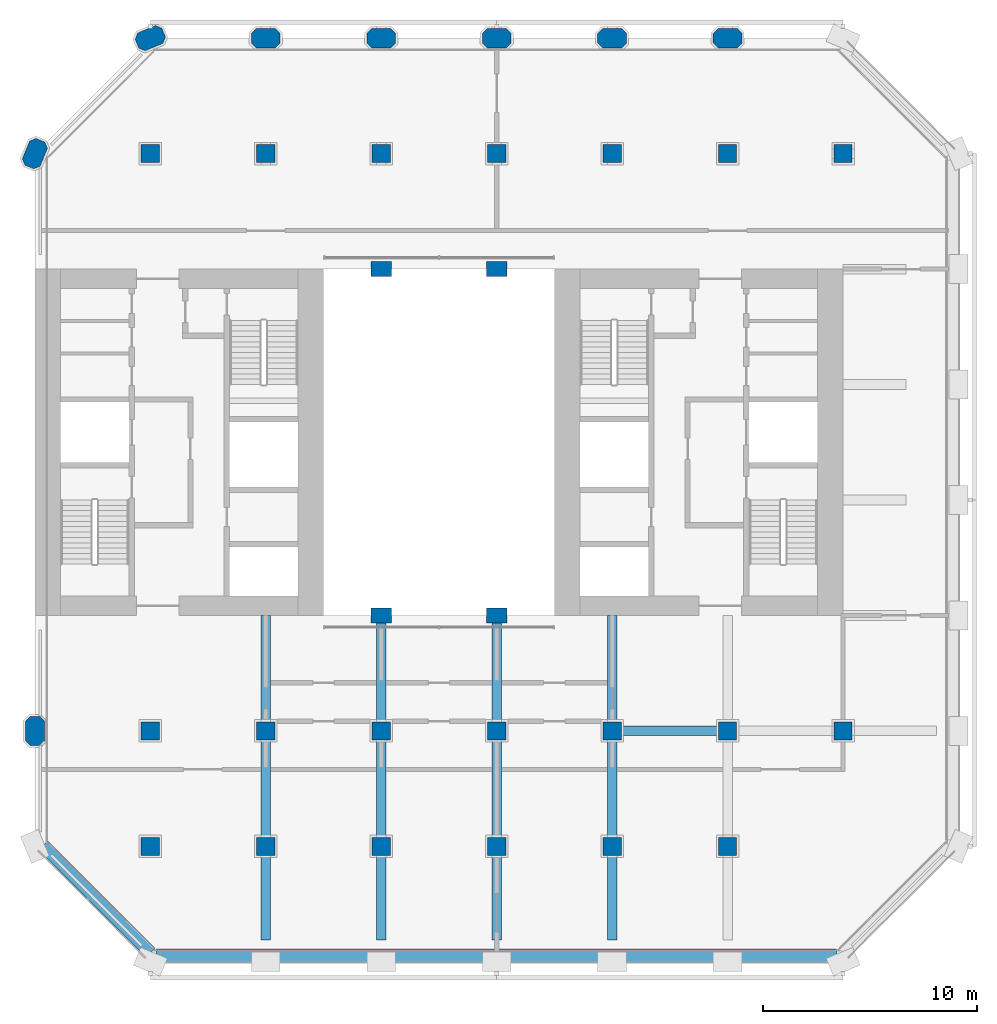
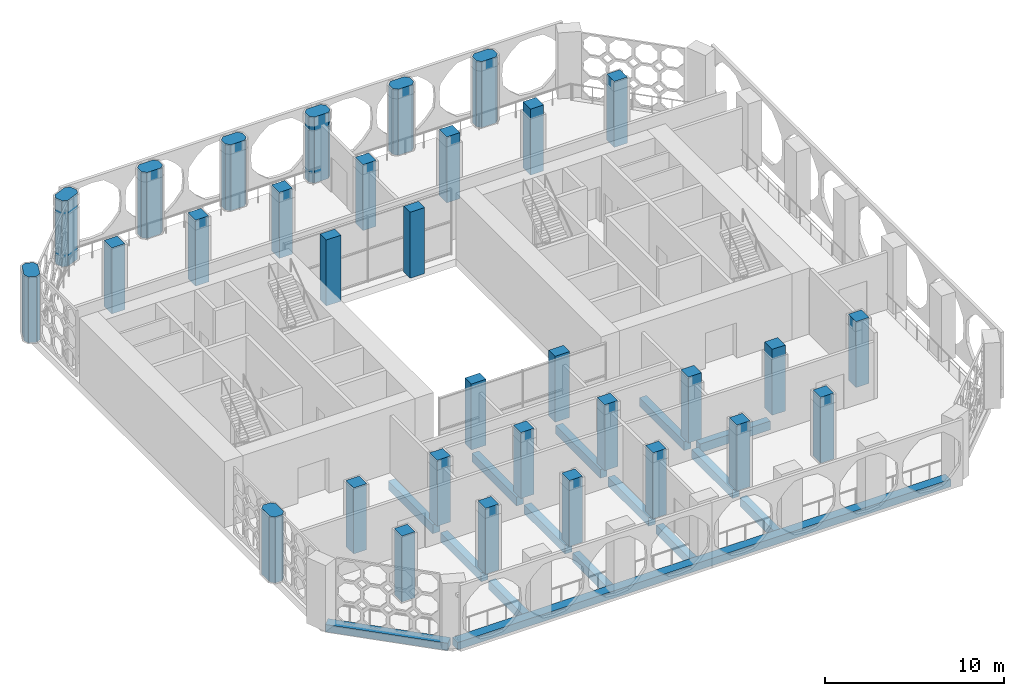
# One storey, part 1 of 14: 32 columns, 15 beams.
"""IFC4 building model written with IfcOpenShell, lengths in metres."""

from ifc_helpers import new_model, si_unit, direction, frame, origin, origin_2d, place, context, subcontext, project, spatial, polyline, rectangle, outline, extrude, material, material_profile, profile_set, type_object, element, save


model = new_model("IFC4")

# Units and contexts
model_context = context("Model", 3, precision=1e-05, world=origin(), true_north=direction((0.0, 1.0)))
body_context = subcontext(model_context, "Body", "Model", "MODEL_VIEW")
ifc_project = project(units=[si_unit("LENGTHUNIT", "METRE"), si_unit("AREAUNIT", "SQUARE_METRE"), si_unit("VOLUMEUNIT", "CUBIC_METRE"), si_unit("PLANEANGLEUNIT", "RADIAN"), si_unit("MASSUNIT", "GRAM", prefix="KILO")], contexts=[model_context])

# Site, building, storey
site_placement = place(None, origin())
site = spatial("IfcSite", under=ifc_project, at=site_placement, CompositionType="ELEMENT")
building_placement = place(site_placement, origin())
building = spatial("IfcBuilding", under=site, at=building_placement, Name="Tabaq Tower and Sports Hall", CompositionType="ELEMENT")
storey_placement = place(building_placement, frame((0.0, 0.0, 175.89990234375)))
storey = spatial("IfcBuildingStorey", under=building, at=storey_placement, Name="L42", CompositionType="ELEMENT", Elevation=175.89990234375)

# Columns
ifc_material_1 = material(Name="Concrete C50/60", Category="concrete")
ifc_material_profile_1 = material_profile(ifc_material_1, rectangle(XDim=0.949951171875, YDim=0.699951171875, at=origin_2d()), Name="ATRIUM COLUMN 950x700")
ifc_profile_set_1 = profile_set([ifc_material_profile_1], Name="Concrete C50/60")
column_type_1 = type_object("IfcColumnType", Name="RC COLUMN ATRIUM COLUMN 950x700 C50/60", PredefinedType="COLUMN", material=ifc_profile_set_1)
for number, where, z_axis, x_axis, name in (
    (1, (21.60009765625, 16.199951171875, 0.0), (0.0, 0.0, 1.0), (1.0, 0.0, 0.0), "Atrium Column 5/D L42"),
    (2, (27.0, 16.199951171875, 0.0), (0.0, 0.0, 1.0), (1.0, 0.0, 0.0), "Atrium Column 6/D L42"),
    (3, (21.60009765625, 32.39990234375, 0.0), (0.0, 0.0, 1.0), (1.0, 0.0, 0.0), "Atrium Column 5/G L42"),
    (4, (27.0, 32.39990234375, 0.0), (0.0, 0.0, 1.0), (1.0, 0.0, 0.0), "Atrium Column 6/G L42"),
):
    element("IfcColumn", number, at=place(storey_placement, frame(where, z_axis=z_axis, x_axis=x_axis)), inside=storey, type_object=column_type_1, Name=name, PredefinedType="COLUMN", context=body_context, shape_type="SweptSolid", body=[
        extrude(rectangle(XDim=0.949951171875, YDim=0.699951171875, at=origin_2d()), origin(), (0.0, 0.0, 1.0), 4.5),
    ])
ifc_material_2 = material(Name="Concrete C50/60", Category="concrete")
ifc_material_profile_2 = material_profile(ifc_material_2, rectangle(XDim=0.85009765625, YDim=0.85009765625, at=origin_2d()), Name="COLUMN 850x850")
ifc_profile_set_2 = profile_set([ifc_material_profile_2], Name="Concrete C50/60")
column_type_2 = type_object("IfcColumnType", Name="RC COLUMN COLUMN 850x850 C50/60", PredefinedType="COLUMN", material=ifc_profile_set_2)
for number, where, z_axis, x_axis, name in (
    (5, (10.800048828125, 5.39990234375, 0.0), (0.0, 0.0, 1.0), (1.0, 0.0, 0.0), "Column 3/B L42"),
    (6, (16.199951171875, 5.39990234375, 0.0), (0.0, 0.0, 1.0), (1.0, 0.0, 0.0), "Column 4/B L42"),
    (7, (21.60009765625, 5.39990234375, 0.0), (0.0, 0.0, 1.0), (1.0, 0.0, 0.0), "Column 5/B L42"),
    (8, (27.0, 5.39990234375, 0.0), (0.0, 0.0, 1.0), (1.0, 0.0, 0.0), "Column 6/B L42"),
    (9, (32.39990234375, 5.39990234375, 0.0), (0.0, 0.0, 1.0), (1.0, 0.0, 0.0), "Column 7/B L42"),
    (10, (37.800048828125, 5.39990234375, 0.0), (0.0, 0.0, 1.0), (1.0, 0.0, 0.0), "Column 8/B L42"),
    (11, (10.800048828125, 10.800048828125, 0.0), (0.0, 0.0, 1.0), (1.0, 0.0, 0.0), "Column 3/C L42"),
    (12, (16.199951171875, 10.800048828125, 0.0), (0.0, 0.0, 1.0), (1.0, 0.0, 0.0), "Column 4/C L42"),
    (13, (21.60009765625, 10.800048828125, 0.0), (0.0, 0.0, 1.0), (1.0, 0.0, 0.0), "Column 5/C L42"),
    (14, (27.0, 10.800048828125, 0.0), (0.0, 0.0, 1.0), (1.0, 0.0, 0.0), "Column 6/C L42"),
    (15, (32.39990234375, 10.800048828125, 0.0), (0.0, 0.0, 1.0), (1.0, 0.0, 0.0), "Column 7/C L42"),
    (16, (37.800048828125, 10.800048828125, 0.0), (0.0, 0.0, 1.0), (1.0, 0.0, 0.0), "Column 8/C L42"),
    (17, (43.199951171875, 10.800048828125, 0.0), (0.0, 0.0, 1.0), (1.0, 0.0, 0.0), "Column 9/C L42"),
    (18, (10.800048828125, 37.800048828125, 0.0), (0.0, 0.0, 1.0), (1.0, 0.0, 0.0), "Column 3/H L42"),
    (19, (16.199951171875, 37.800048828125, 0.0), (0.0, 0.0, 1.0), (1.0, 0.0, 0.0), "Column 4/H L42"),
    (20, (21.60009765625, 37.800048828125, 0.0), (0.0, 0.0, 1.0), (1.0, 0.0, 0.0), "Column 5/H L42"),
    (21, (27.0, 37.800048828125, 0.0), (0.0, 0.0, 1.0), (1.0, 0.0, 0.0), "Column 6/H L42"),
    (22, (32.39990234375, 37.800048828125, 0.0), (0.0, 0.0, 1.0), (1.0, 0.0, 0.0), "Column 7/H L42"),
    (23, (37.800048828125, 37.800048828125, 0.0), (0.0, 0.0, 1.0), (1.0, 0.0, 0.0), "Column 8/H L42"),
    (24, (43.199951171875, 37.800048828125, 0.0), (0.0, 0.0, 1.0), (1.0, 0.0, 0.0), "Column 9/H L42"),
):
    element("IfcColumn", number, at=place(storey_placement, frame(where, z_axis=z_axis, x_axis=x_axis)), inside=storey, type_object=column_type_2, Name=name, PredefinedType="COLUMN", context=body_context, shape_type="SweptSolid", body=[
        extrude(rectangle(XDim=0.85009765625, YDim=0.85009765625, at=origin_2d()), origin(), (0.0, 0.0, 1.0), 4.5),
    ])
ifc_material_3 = material(Name="Concrete C50/60", Category="concrete")
ifc_material_profile_3 = material_profile(ifc_material_3, outline(polyline([(-0.449951171875, -0.449951171875), (0.449951171875, -0.449951171875), (0.675048828125, -0.22509765625), (0.675048828125, 0.22509765625), (0.449951171875, 0.449951171875), (-0.449951171875, 0.449951171875), (-0.675048828125, 0.22509765625), (-0.675048828125, -0.22509765625), (-0.449951171875, -0.449951171875)])), Name="PIER 1350x900")
ifc_profile_set_3 = profile_set([ifc_material_profile_3], Name="Concrete C50/60")
column_type_3 = type_object("IfcColumnType", Name="RC COLUMN PIER 1350x900 C50/60", PredefinedType="COLUMN", material=ifc_profile_set_3)
for number, where, z_axis, x_axis, name in (
    (25, (5.39990234375, 10.800048828125, 0.0), (0.0, 0.0, 1.0), (0.0, 1.0, 0.0), "Pier 2/C L42"),
    (26, (5.39990234375, 37.800048828125, 0.0), (0.0, 0.0, 1.0), (0.382683432365, 0.923879532511, 0.0), "Pier 2/H L42"),
    (27, (10.800048828125, 43.199951171875, 0.0), (0.0, 0.0, 1.0), (0.923879532511, 0.382683432365, 0.0), "Pier 3/I L42"),
    (28, (16.199951171875, 43.199951171875, 0.0), (0.0, 0.0, 1.0), (1.0, 0.0, 0.0), "Pier 4/I L42"),
    (29, (21.60009765625, 43.199951171875, 0.0), (0.0, 0.0, 1.0), (1.0, 0.0, 0.0), "Pier 5/I L42"),
    (30, (27.0, 43.199951171875, 0.0), (0.0, 0.0, 1.0), (1.0, 0.0, 0.0), "Pier 6/I L42"),
    (31, (32.39990234375, 43.199951171875, 0.0), (0.0, 0.0, 1.0), (1.0, 0.0, 0.0), "Pier 7/I L42"),
    (32, (37.800048828125, 43.199951171875, 0.0), (0.0, 0.0, 1.0), (1.0, 0.0, 0.0), "Pier 8/I L42"),
):
    element("IfcColumn", number, at=place(storey_placement, frame(where, z_axis=z_axis, x_axis=x_axis)), inside=storey, type_object=column_type_3, Name=name, PredefinedType="COLUMN", context=body_context, shape_type="SweptSolid", body=[
        extrude(outline(polyline([(-0.449951171875, -0.449951171875), (0.449951171875, -0.449951171875), (0.675048828125, -0.22509765625), (0.675048828125, 0.22509765625), (0.449951171875, 0.449951171875), (-0.449951171875, 0.449951171875), (-0.675048828125, 0.22509765625), (-0.675048828125, -0.22509765625), (-0.449951171875, -0.449951171875)])), origin(), (0.0, 0.0, 1.0), 4.5),
    ])

# Beams
ifc_material_4 = material(Name="Concrete C40/50", Category="concrete")
ifc_material_profile_4 = material_profile(ifc_material_4, rectangle(XDim=0.449951171875, YDim=0.60009765625, at=origin_2d()), Name="CB 450x600")
ifc_profile_set_4 = profile_set([ifc_material_profile_4], Name="Concrete C40/50")
beam_type_1 = type_object("IfcBeamType", Name="PT CANTILEVER BEAM CB 450x600 C40/50", PredefinedType="BEAM", material=ifc_profile_set_4)
beam_1_placement = place(storey_placement, frame((37.375, 10.800048828125, -0.7998046875), z_axis=(-1.0, 0.0, 0.0), x_axis=(0.0, -1.0, 0.0)))
element("IfcBeam", 33, at=beam_1_placement, inside=storey, type_object=beam_type_1, Name="Cantilever Beam L42 E2 span 3", PredefinedType="BEAM", context=body_context, shape_type="SweptSolid", body=[
    extrude(rectangle(XDim=0.449951171875, YDim=0.60009765625, at=origin_2d()), origin(), (0.0, 0.0, 1.0), 4.550048828125),
])
beam_2_placement = place(storey_placement, frame((16.199951171875, 1.02490234375, -0.7998046875), z_axis=(0.0, 1.0, 0.0), x_axis=(-1.0, 0.0, 0.0)))
element("IfcBeam", 34, at=beam_2_placement, inside=storey, type_object=beam_type_1, Name="Cantilever Beam L42 S3 span 1", PredefinedType="BEAM", context=body_context, shape_type="SweptSolid", body=[
    extrude(rectangle(XDim=0.449951171875, YDim=0.60009765625, at=origin_2d()), origin(), (0.0, 0.0, 1.0), 3.9501953125),
])
beam_3_placement = place(storey_placement, frame((16.199951171875, 5.824951171875, -0.7998046875), z_axis=(0.0, 1.0, 0.0), x_axis=(-1.0, 0.0, 0.0)))
element("IfcBeam", 35, at=beam_3_placement, inside=storey, type_object=beam_type_1, Name="Cantilever Beam L42 S3 span 2", PredefinedType="BEAM", context=body_context, shape_type="SweptSolid", body=[
    extrude(rectangle(XDim=0.449951171875, YDim=0.60009765625, at=origin_2d()), origin(), (0.0, 0.0, 1.0), 4.550048828125),
])
beam_4_placement = place(storey_placement, frame((16.199951171875, 11.22509765625, -0.7998046875), z_axis=(0.0, 1.0, 0.0), x_axis=(-1.0, 0.0, 0.0)))
element("IfcBeam", 36, at=beam_4_placement, inside=storey, type_object=beam_type_1, Name="Cantilever Beam L42 S3 span 3", PredefinedType="BEAM", context=body_context, shape_type="SweptSolid", body=[
    extrude(rectangle(XDim=0.449951171875, YDim=0.60009765625, at=origin_2d()), origin(), (0.0, 0.0, 1.0), 4.974853515625),
])
beam_5_placement = place(storey_placement, frame((21.60009765625, 1.02490234375, -0.7998046875), z_axis=(0.0, 1.0, 0.0), x_axis=(-1.0, 0.0, 0.0)))
element("IfcBeam", 37, at=beam_5_placement, inside=storey, type_object=beam_type_1, Name="Cantilever Beam L42 S4 span 1", PredefinedType="BEAM", context=body_context, shape_type="SweptSolid", body=[
    extrude(rectangle(XDim=0.449951171875, YDim=0.60009765625, at=origin_2d()), origin(), (0.0, 0.0, 1.0), 3.9501953125),
])
beam_6_placement = place(storey_placement, frame((21.60009765625, 5.824951171875, -0.7998046875), z_axis=(0.0, 1.0, 0.0), x_axis=(-1.0, 0.0, 0.0)))
element("IfcBeam", 38, at=beam_6_placement, inside=storey, type_object=beam_type_1, Name="Cantilever Beam L42 S4 span 2", PredefinedType="BEAM", context=body_context, shape_type="SweptSolid", body=[
    extrude(rectangle(XDim=0.449951171875, YDim=0.60009765625, at=origin_2d()), origin(), (0.0, 0.0, 1.0), 4.550048828125),
])
beam_7_placement = place(storey_placement, frame((21.60009765625, 11.22509765625, -0.7998046875), z_axis=(0.0, 1.0, 0.0), x_axis=(-1.0, 0.0, 0.0)))
element("IfcBeam", 39, at=beam_7_placement, inside=storey, type_object=beam_type_1, Name="Cantilever Beam L42 S4 span 3", PredefinedType="BEAM", context=body_context, shape_type="SweptSolid", body=[
    extrude(rectangle(XDim=0.449951171875, YDim=0.60009765625, at=origin_2d()), origin(), (0.0, 0.0, 1.0), 4.974853515625),
])
beam_8_placement = place(storey_placement, frame((27.0, 1.02490234375, -0.7998046875), z_axis=(0.0, 1.0, 0.0), x_axis=(-1.0, 0.0, 0.0)))
element("IfcBeam", 40, at=beam_8_placement, inside=storey, type_object=beam_type_1, Name="Cantilever Beam L42 S5 span 1", PredefinedType="BEAM", context=body_context, shape_type="SweptSolid", body=[
    extrude(rectangle(XDim=0.449951171875, YDim=0.60009765625, at=origin_2d()), origin(), (0.0, 0.0, 1.0), 3.9501953125),
])
beam_9_placement = place(storey_placement, frame((27.0, 5.824951171875, -0.7998046875), z_axis=(0.0, 1.0, 0.0), x_axis=(-1.0, 0.0, 0.0)))
element("IfcBeam", 41, at=beam_9_placement, inside=storey, type_object=beam_type_1, Name="Cantilever Beam L42 S5 span 2", PredefinedType="BEAM", context=body_context, shape_type="SweptSolid", body=[
    extrude(rectangle(XDim=0.449951171875, YDim=0.60009765625, at=origin_2d()), origin(), (0.0, 0.0, 1.0), 4.550048828125),
])
beam_10_placement = place(storey_placement, frame((27.0, 11.22509765625, -0.7998046875), z_axis=(0.0, 1.0, 0.0), x_axis=(-1.0, 0.0, 0.0)))
element("IfcBeam", 42, at=beam_10_placement, inside=storey, type_object=beam_type_1, Name="Cantilever Beam L42 S5 span 3", PredefinedType="BEAM", context=body_context, shape_type="SweptSolid", body=[
    extrude(rectangle(XDim=0.449951171875, YDim=0.60009765625, at=origin_2d()), origin(), (0.0, 0.0, 1.0), 4.974853515625),
])
beam_11_placement = place(storey_placement, frame((32.39990234375, 1.02490234375, -0.7998046875), z_axis=(0.0, 1.0, 0.0), x_axis=(-1.0, 0.0, 0.0)))
element("IfcBeam", 43, at=beam_11_placement, inside=storey, type_object=beam_type_1, Name="Cantilever Beam L42 S6 span 1", PredefinedType="BEAM", context=body_context, shape_type="SweptSolid", body=[
    extrude(rectangle(XDim=0.449951171875, YDim=0.60009765625, at=origin_2d()), origin(), (0.0, 0.0, 1.0), 3.9501953125),
])
beam_12_placement = place(storey_placement, frame((32.39990234375, 5.824951171875, -0.7998046875), z_axis=(0.0, 1.0, 0.0), x_axis=(-1.0, 0.0, 0.0)))
element("IfcBeam", 44, at=beam_12_placement, inside=storey, type_object=beam_type_1, Name="Cantilever Beam L42 S6 span 2", PredefinedType="BEAM", context=body_context, shape_type="SweptSolid", body=[
    extrude(rectangle(XDim=0.449951171875, YDim=0.60009765625, at=origin_2d()), origin(), (0.0, 0.0, 1.0), 4.550048828125),
])
beam_13_placement = place(storey_placement, frame((32.39990234375, 11.22509765625, -0.7998046875), z_axis=(0.0, 1.0, 0.0), x_axis=(-1.0, 0.0, 0.0)))
element("IfcBeam", 45, at=beam_13_placement, inside=storey, type_object=beam_type_1, Name="Cantilever Beam L42 S6 span 3", PredefinedType="BEAM", context=body_context, shape_type="SweptSolid", body=[
    extrude(rectangle(XDim=0.449951171875, YDim=0.60009765625, at=origin_2d()), origin(), (0.0, 0.0, 1.0), 4.974853515625),
])
ifc_material_5 = material(Name="Concrete C40/50", Category="concrete")
ifc_material_profile_5 = material_profile(ifc_material_5, rectangle(XDim=0.60009765625, YDim=0.5, at=origin_2d()), Name="EB 600x500")
ifc_profile_set_5 = profile_set([ifc_material_profile_5], Name="Concrete C40/50")
beam_type_2 = type_object("IfcBeamType", Name="PT EDGE BEAM EB 600x500 C40/50", PredefinedType="SPANDREL", material=ifc_profile_set_5)
beam_14_placement = place(storey_placement, frame((11.0986328125, 0.300048828125, -0.25), z_axis=(1.0, 0.0, 0.0), x_axis=(0.0, 1.0, 0.0)))
element("IfcBeam", 46, at=beam_14_placement, inside=storey, type_object=beam_type_2, Name="Edge Beam L42 1", PredefinedType="SPANDREL", context=body_context, shape_type="SweptSolid", body=[
    extrude(rectangle(XDim=0.60009765625, YDim=0.5, at=origin_2d()), origin(), (0.0, 0.0, 1.0), 31.802734375),
])
beam_15_placement = place(storey_placement, frame((5.788818359375, 5.435302734375, -0.25), z_axis=(0.707124002701, -0.707089559252, 0.0), x_axis=(0.707089559252, 0.707124002701, 0.0)))
element("IfcBeam", 47, at=beam_15_placement, inside=storey, type_object=beam_type_2, Name="Edge Beam L42 5", PredefinedType="SPANDREL", context=body_context, shape_type="SweptSolid", body=[
    extrude(rectangle(XDim=0.60009765625, YDim=0.5, at=origin_2d()), origin(), (0.0, 0.0, 1.0), 7.088134765625),
])

save(model, "model.ifc")
